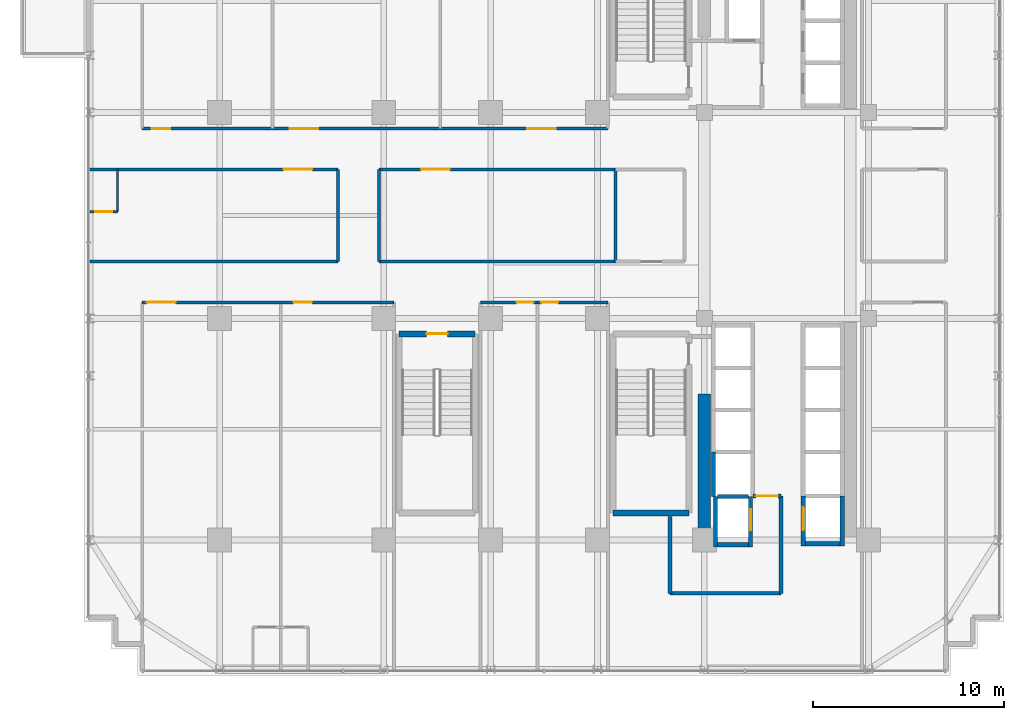
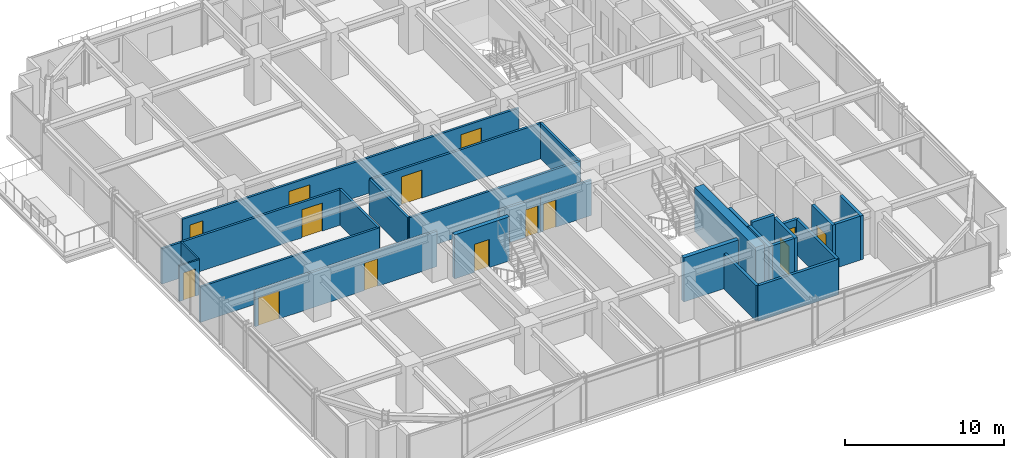
# One storey, part 28 of 35: 28 walls, 14 doors, 14 openings.
"""IFC4 building model written with IfcOpenShell, lengths in metres."""

from ifc_helpers import new_model, si_unit, direction, frame, frame_2d, origin, place, context, subcontext, project, spatial, rectangle, extrude, source, transform, mapped, material, layer, layer_set, type_object, element, fill, save


model = new_model("IFC4")

# Units and contexts
model_context = context("Model", 3, precision=1e-05, world=origin(), true_north=direction((0.0, 1.0)))
body_context = subcontext(model_context, "Body", "Model", "MODEL_VIEW")
ifc_project = project(units=[si_unit("LENGTHUNIT", "METRE"), si_unit("AREAUNIT", "SQUARE_METRE"), si_unit("VOLUMEUNIT", "CUBIC_METRE"), si_unit("PLANEANGLEUNIT", "RADIAN"), si_unit("MASSUNIT", "GRAM", prefix="KILO")], contexts=[model_context])

# Site, building, storey
site_placement = place(None, origin())
site = spatial("IfcSite", under=ifc_project, at=site_placement, CompositionType="ELEMENT")
building_placement = place(site_placement, origin())
building = spatial("IfcBuilding", under=site, at=building_placement, Name="Nahalor Promenade Grand Hotel", CompositionType="ELEMENT")
storey_placement = place(building_placement, frame((0.0, 0.0, 106.550048828125)))
storey = spatial("IfcBuildingStorey", under=building, at=storey_placement, Name="L26", CompositionType="ELEMENT", Elevation=106.550048828125)

# Walls
ifc_material_1 = material(Name="Concrete B-60 (C50/60)", Category="concrete")
ifc_layer_1 = layer(ifc_material_1, 0.64990234375)
ifc_layer_set_1 = layer_set([ifc_layer_1], Name="Concrete B-60 (C50/60)")
wall_type_1 = type_object("IfcWallType", Name="Wall-CoreShear-650", PredefinedType="SHEAR", material=ifc_layer_set_1)
shared_shape_1 = source(origin(), body_context, "Body", "SweptSolid", [
    extrude(rectangle(XDim=7.64990234375, YDim=0.64990234375, at=frame_2d((3.824951171875, 0.0))), origin(), (0.0, 0.0, 1.0), 3.3798828125),
])
wall_1_placement = place(storey_placement, frame((8.39990234375, -17.0, 0.0), z_axis=(0.0, 0.0, 1.0), x_axis=(0.0, 1.0, 0.0)))
element("IfcWall", 1, at=wall_1_placement, inside=storey, type_object=wall_type_1, Name="CWALL-L26-SW", PredefinedType="SHEAR", context=body_context, shape_type="MappedRepresentation", body=[
    mapped(shared_shape_1, transform((0.0, 0.0, 0.0), scale=1.0)),
])
ifc_material_2 = material(Name="Concrete B-50 (C40/50)", Category="concrete")
ifc_layer_2 = layer(ifc_material_2, 0.300048828125)
ifc_layer_set_2 = layer_set([ifc_layer_2], Name="Concrete B-50 (C40/50)")
wall_type_2 = type_object("IfcWallType", Name="Wall-ShaftShear-300", PredefinedType="SHEAR", material=ifc_layer_set_2)
shared_shape_2 = source(origin(), body_context, "Body", "SweptSolid", [
    extrude(rectangle(XDim=3.97998046875, YDim=0.300048828125, at=frame_2d((1.989990234375, 0.0))), origin(), (0.0, 0.0, 1.0), 3.3798828125),
])
wall_2_placement = place(storey_placement, frame((3.610107421875, -15.590087890625, 0.0), z_axis=(0.0, 0.0, 1.0), x_axis=(1.0, 0.0, 0.0)))
element("IfcWall", 2, at=wall_2_placement, inside=storey, type_object=wall_type_2, Name="L26 Exit Stair ST2 Shaft Wall S", PredefinedType="SHEAR", context=body_context, shape_type="MappedRepresentation", body=[
    mapped(shared_shape_2, transform((0.0, 0.0, 0.0), scale=1.0)),
])

# Wall, opening, door
wall_3_placement = place(storey_placement, frame((-7.590087890625, -6.2099609375, 0.0), z_axis=(0.0, 0.0, 1.0), x_axis=(1.0, 0.0, 0.0)))
wall_3 = element("IfcWall", 3, at=wall_3_placement, inside=storey, type_object=wall_type_2, Name="L26 Exit Stair ST3 Shaft Wall N", PredefinedType="SHEAR", context=body_context, shape_type="MappedRepresentation", body=[
    mapped(shared_shape_2, transform((0.0, 0.0, 0.0), scale=1.0)),
])
opening_1_placement = place(wall_3_placement, frame((1.43994140625, 0.0, 0.0)))
opening_1 = element("IfcOpeningElement", 4, at=opening_1_placement, cuts=wall_3, Name="Opening D-ST1", PredefinedType="OPENING", context=body_context, shape_type="SweptSolid", body=[
    extrude(rectangle(XDim=1.10009765625, YDim=2.14990234375, at=frame_2d((0.550048828125, 1.074951171875))), frame((0.0, 0.159912109375, 0.0), z_axis=(0.0, -1.0, 0.0), x_axis=(1.0, 0.0, 0.0)), (0.0, 0.0, 1.0), 0.320068359375),
])
ifc_material_3 = material(Name="Steel S355JR", Category="steel")
door_type_1 = type_object("IfcDoorType", Name="Door-StairFire-1100", OperationType="NOTDEFINED", PredefinedType="DOOR", material=ifc_material_3)
shared_shape_3 = source(origin(), body_context, "Body", "SweptSolid", [
    extrude(rectangle(XDim=1.10009765625, YDim=2.14990234375, at=frame_2d((0.550048828125, 1.074951171875))), frame((0.0, 0.02490234375, 0.0), z_axis=(0.0, -1.0, 0.0), x_axis=(1.0, 0.0, 0.0)), (0.0, 0.0, 1.0), 0.050048828125),
])
door_1_placement = place(opening_1_placement, frame((1.10009765625, 0.0, 0.0), z_axis=(0.0, 0.0, 1.0), x_axis=(-1.0, 0.0, 0.0)))
door_1 = element("IfcDoor", 5, at=door_1_placement, inside=storey, type_object=door_type_1, Name="DR-STAIR-ST3-L26", OperationType="SINGLE_SWING_LEFT", OverallHeight=2.14990234375, OverallWidth=1.10009765625, PredefinedType="DOOR", context=body_context, shape_type="MappedRepresentation", body=[
    mapped(shared_shape_3, transform((0.0, 0.0, 0.0), scale=1.0)),
])
fill(opening_1, door_1)

# Walls
ifc_layer_3 = layer(ifc_material_2, 0.219970703125)
ifc_layer_set_3 = layer_set([ifc_layer_3], Name="Concrete B-50 (C40/50)")
wall_type_3 = type_object("IfcWallType", Name="Wall-LiftShaft-220", PredefinedType="SHEAR", material=ifc_layer_set_3)
shared_shape_4 = source(origin(), body_context, "Body", "SweptSolid", [
    extrude(rectangle(XDim=1.820068359375, YDim=0.219970703125, at=frame_2d((0.91015625, 0.0))), origin(), (0.0, 0.0, 1.0), 3.3798828125),
])
wall_4_placement = place(storey_placement, frame((13.68994140625, -17.199951171875, 0.0), z_axis=(0.0, 0.0, 1.0), x_axis=(1.0, 0.0, 0.0)))
element("IfcWall", 6, at=wall_4_placement, inside=storey, type_object=wall_type_3, Name="L26 Lift SV2 Hoistway Wall S", PredefinedType="SHEAR", context=body_context, shape_type="MappedRepresentation", body=[
    mapped(shared_shape_4, transform((0.0, 0.0, 0.0), scale=1.0)),
])
shared_shape_5 = source(origin(), body_context, "Body", "SweptSolid", [
    extrude(rectangle(XDim=2.3251953125, YDim=0.219970703125, at=frame_2d((1.16259765625, 0.0))), origin(), (0.0, 0.0, 1.0), 3.3798828125),
])
wall_5_placement = place(storey_placement, frame((8.8798828125, -14.72509765625, 0.0), z_axis=(0.0, 0.0, 1.0), x_axis=(0.0, 1.0, 0.0)))
element("IfcWall", 7, at=wall_5_placement, inside=storey, type_object=wall_type_3, Name="L26 Lift PL12 Hoistway Wall W", PredefinedType="SHEAR", context=body_context, shape_type="MappedRepresentation", body=[
    mapped(shared_shape_5, transform((0.0, 0.0, 0.0), scale=1.0)),
])
shared_shape_6 = source(origin(), body_context, "Body", "SweptSolid", [
    extrude(rectangle(XDim=1.619873046875, YDim=0.219970703125, at=frame_2d((0.81005859375, 0.0))), origin(), (0.0, 0.0, 1.0), 3.64990234375),
])
wall_6_placement = place(storey_placement, frame((9.090087890625, -14.72509765625, 0.0), z_axis=(0.0, 0.0, 1.0), x_axis=(1.0, 0.0, 0.0)))
element("IfcWall", 8, at=wall_6_placement, inside=storey, type_object=wall_type_3, Name="L26 Lift FL2 Hoistway Wall N", PredefinedType="SHEAR", context=body_context, shape_type="MappedRepresentation", body=[
    mapped(shared_shape_6, transform((0.0, 0.0, 0.0), scale=1.0)),
])
shared_shape_7 = source(origin(), body_context, "Body", "SweptSolid", [
    extrude(rectangle(XDim=2.635009765625, YDim=0.219970703125, at=frame_2d((1.3173828125, 0.0))), origin(), (0.0, 0.0, 1.0), 3.3798828125),
])
wall_7_placement = place(storey_placement, frame((8.97998046875, -17.360107421875, 0.0), z_axis=(0.0, 0.0, 1.0), x_axis=(0.0, 1.0, 0.0)))
element("IfcWall", 9, at=wall_7_placement, inside=storey, type_object=wall_type_3, Name="L26 Lift FL2 Hoistway Wall W", PredefinedType="SHEAR", context=body_context, shape_type="MappedRepresentation", body=[
    mapped(shared_shape_7, transform((0.0, 0.0, 0.0), scale=1.0)),
])

# Wall, opening, door
wall_8_placement = place(storey_placement, frame((10.820068359375, -17.360107421875, 0.0), z_axis=(0.0, 0.0, 1.0), x_axis=(0.0, 1.0, 0.0)))
wall_8 = element("IfcWall", 10, at=wall_8_placement, inside=storey, type_object=wall_type_3, Name="L26 Lift FL2 Hoistway Wall E", PredefinedType="SHEAR", context=body_context, shape_type="MappedRepresentation", body=[
    mapped(shared_shape_7, transform((0.0, 0.0, 0.0), scale=1.0)),
])
opening_2_placement = place(wall_8_placement, frame((0.860107421875, 0.0, 0.0)))
opening_2 = element("IfcOpeningElement", 11, at=opening_2_placement, cuts=wall_8, Name="Opening LD-02", PredefinedType="OPENING", context=body_context, shape_type="SweptSolid", body=[
    extrude(rectangle(XDim=1.10009765625, YDim=2.199951171875, at=frame_2d((0.550048828125, 1.10009765625))), frame((0.0, 0.119873046875, 0.0), z_axis=(0.0, -1.0, 0.0), x_axis=(1.0, 0.0, 0.0)), (0.0, 0.0, 1.0), 0.239990234375),
])
door_type_2 = type_object("IfcDoorType", Name="Door-LiftFF-1100", OperationType="DOUBLE_DOOR_SLIDING", PredefinedType="DOOR", material=ifc_material_3)
shared_shape_8 = source(origin(), body_context, "Body", "SweptSolid", [
    extrude(rectangle(XDim=1.10009765625, YDim=2.199951171875, at=frame_2d((0.550048828125, 1.10009765625))), frame((0.0, 0.02490234375, 0.0), z_axis=(0.0, -1.0, 0.0), x_axis=(1.0, 0.0, 0.0)), (0.0, 0.0, 1.0), 0.050048828125),
])
door_2_placement = place(opening_2_placement, frame((1.10009765625, 0.0, 0.0), z_axis=(0.0, 0.0, 1.0), x_axis=(-1.0, 0.0, 0.0)))
door_2 = element("IfcDoor", 12, at=door_2_placement, inside=storey, type_object=door_type_2, Name="DR-LIFT-FL2-L26", OperationType="DOUBLE_DOOR_SLIDING", OverallHeight=2.199951171875, OverallWidth=1.10009765625, PredefinedType="DOOR", context=body_context, shape_type="MappedRepresentation", body=[
    mapped(shared_shape_8, transform((0.0, 0.0, 0.0), scale=1.0)),
])
fill(opening_2, door_2)

# Wall
shared_shape_9 = source(origin(), body_context, "Body", "SweptSolid", [
    extrude(rectangle(XDim=1.619873046875, YDim=0.219970703125, at=frame_2d((0.81005859375, 0.0))), origin(), (0.0, 0.0, 1.0), 3.3798828125),
])
wall_9_placement = place(storey_placement, frame((9.090087890625, -17.25, 0.0), z_axis=(0.0, 0.0, 1.0), x_axis=(1.0, 0.0, 0.0)))
element("IfcWall", 13, at=wall_9_placement, inside=storey, type_object=wall_type_3, Name="L26 Lift FL2 Hoistway Wall S", PredefinedType="SHEAR", context=body_context, shape_type="MappedRepresentation", body=[
    mapped(shared_shape_9, transform((0.0, 0.0, 0.0), scale=1.0)),
])

# Wall, opening, door
shared_shape_10 = source(origin(), body_context, "Body", "SweptSolid", [
    extrude(rectangle(XDim=2.610107421875, YDim=0.219970703125, at=frame_2d((1.30517578125, 0.0))), origin(), (0.0, 0.0, 1.0), 3.3798828125),
])
wall_10_placement = place(storey_placement, frame((13.580078125, -17.31005859375, 0.0), z_axis=(0.0, 0.0, 1.0), x_axis=(0.0, 1.0, 0.0)))
wall_10 = element("IfcWall", 14, at=wall_10_placement, inside=storey, type_object=wall_type_3, Name="L26 Lift SV2 Hoistway Wall W", PredefinedType="SHEAR", context=body_context, shape_type="MappedRepresentation", body=[
    mapped(shared_shape_10, transform((0.0, 0.0, 0.0), scale=1.0)),
])
opening_3_placement = place(wall_10_placement, frame((0.81005859375, 0.0, 0.0)))
opening_3 = element("IfcOpeningElement", 15, at=opening_3_placement, cuts=wall_10, Name="Opening LD-03", PredefinedType="OPENING", context=body_context, shape_type="SweptSolid", body=[
    extrude(rectangle(XDim=1.199951171875, YDim=2.199951171875, at=frame_2d((0.60009765625, 1.10009765625))), frame((0.0, 0.119873046875, 0.0), z_axis=(0.0, -1.0, 0.0), x_axis=(1.0, 0.0, 0.0)), (0.0, 0.0, 1.0), 0.239990234375),
])
door_type_3 = type_object("IfcDoorType", Name="Door-LiftService-1200", OperationType="DOUBLE_DOOR_SLIDING", PredefinedType="DOOR", material=ifc_material_3)
shared_shape_11 = source(origin(), body_context, "Body", "SweptSolid", [
    extrude(rectangle(XDim=1.199951171875, YDim=2.199951171875, at=frame_2d((0.60009765625, 1.10009765625))), frame((0.0, 0.02490234375, 0.0), z_axis=(0.0, -1.0, 0.0), x_axis=(1.0, 0.0, 0.0)), (0.0, 0.0, 1.0), 0.050048828125),
])
door_3_placement = place(opening_3_placement, origin())
door_3 = element("IfcDoor", 16, at=door_3_placement, inside=storey, type_object=door_type_3, Name="DR-LIFT-SV2-L26", OperationType="DOUBLE_DOOR_SLIDING", OverallHeight=2.199951171875, OverallWidth=1.199951171875, PredefinedType="DOOR", context=body_context, shape_type="MappedRepresentation", body=[
    mapped(shared_shape_11, transform((0.0, 0.0, 0.0), scale=1.0)),
])
fill(opening_3, door_3)

# Walls
wall_11_placement = place(storey_placement, frame((15.6201171875, -17.31005859375, 0.0), z_axis=(0.0, 0.0, 1.0), x_axis=(0.0, 1.0, 0.0)))
element("IfcWall", 17, at=wall_11_placement, inside=storey, type_object=wall_type_3, Name="L26 Lift SV2 Hoistway Wall E", PredefinedType="SHEAR", context=body_context, shape_type="MappedRepresentation", body=[
    mapped(shared_shape_10, transform((0.0, 0.0, 0.0), scale=1.0)),
])
ifc_material_4 = material(Name="Concrete B-40 (C32/40)", Category="concrete")
ifc_layer_4 = layer(ifc_material_4, 0.199951171875)
ifc_layer_set_4 = layer_set([ifc_layer_4], Name="Concrete B-40 (C32/40)")
wall_type_4 = type_object("IfcWallType", Name="Wall-PartFire-200", PredefinedType="PARTITIONING", material=ifc_layer_set_4)
shared_shape_12 = source(origin(), body_context, "Body", "SweptSolid", [
    extrude(rectangle(XDim=5.81982421875, YDim=0.199951171875, at=frame_2d((2.909912109375, 0.0))), origin(), (0.0, 0.0, 1.0), 2.719970703125),
])
wall_12_placement = place(storey_placement, frame((6.60009765625, -19.800048828125, 0.0), z_axis=(0.0, 0.0, 1.0), x_axis=(1.0, 0.0, 0.0)))
element("IfcWall", 18, at=wall_12_placement, inside=storey, type_object=wall_type_4, Name="W-L26-FF2-S1", PredefinedType="PARTITIONING", context=body_context, shape_type="MappedRepresentation", body=[
    mapped(shared_shape_12, transform((0.0, 0.0, 0.0), scale=1.0)),
])
shared_shape_13 = source(origin(), body_context, "Body", "SweptSolid", [
    extrude(rectangle(XDim=4.030029296875, YDim=0.199951171875, at=frame_2d((2.01513671875, 0.0))), origin(), (0.0, 0.0, 1.0), 2.719970703125),
])
wall_13_placement = place(storey_placement, frame((6.60009765625, -19.800048828125, 0.0), z_axis=(0.0, 0.0, 1.0), x_axis=(0.0, 1.0, 0.0)))
element("IfcWall", 19, at=wall_13_placement, inside=storey, type_object=wall_type_4, Name="W-L26-FF2-W1", PredefinedType="PARTITIONING", context=body_context, shape_type="MappedRepresentation", body=[
    mapped(shared_shape_13, transform((0.0, 0.0, 0.0), scale=1.0)),
])
shared_shape_14 = source(origin(), body_context, "Body", "SweptSolid", [
    extrude(rectangle(XDim=5.10009765625, YDim=0.199951171875, at=frame_2d((2.550048828125, 0.0))), origin(), (0.0, 0.0, 1.0), 2.719970703125),
])
wall_14_placement = place(storey_placement, frame((12.419921875, -19.800048828125, 0.0), z_axis=(0.0, 0.0, 1.0), x_axis=(0.0, 1.0, 0.0)))
element("IfcWall", 20, at=wall_14_placement, inside=storey, type_object=wall_type_4, Name="W-L26-FF2-E", PredefinedType="PARTITIONING", context=body_context, shape_type="MappedRepresentation", body=[
    mapped(shared_shape_14, transform((0.0, 0.0, 0.0), scale=1.0)),
])

# Wall, opening, door
shared_shape_15 = source(origin(), body_context, "Body", "SweptSolid", [
    extrude(rectangle(XDim=1.4599609375, YDim=0.199951171875, at=frame_2d((0.72998046875, 0.0))), origin(), (0.0, 0.0, 1.0), 2.719970703125),
])
wall_15_placement = place(storey_placement, frame((10.9599609375, -14.699951171875, 0.0), z_axis=(0.0, 0.0, 1.0), x_axis=(1.0, 0.0, 0.0)))
wall_15 = element("IfcWall", 21, at=wall_15_placement, inside=storey, type_object=wall_type_4, Name="W-L26-FF2-N1", PredefinedType="PARTITIONING", context=body_context, shape_type="MappedRepresentation", body=[
    mapped(shared_shape_15, transform((0.0, 0.0, 0.0), scale=1.0)),
])
opening_4_placement = place(wall_15_placement, frame((0.14501953125, 0.0, 0.0)))
opening_4 = element("IfcOpeningElement", 22, at=opening_4_placement, cuts=wall_15, Name="Opening D-FF1", PredefinedType="OPENING", context=body_context, shape_type="SweptSolid", body=[
    extrude(rectangle(XDim=1.14990234375, YDim=2.14990234375, at=frame_2d((0.574951171875, 1.074951171875))), frame((0.0, 0.10986328125, 0.0), z_axis=(0.0, -1.0, 0.0), x_axis=(1.0, 0.0, 0.0)), (0.0, 0.0, 1.0), 0.219970703125),
])
door_type_4 = type_object("IfcDoorType", Name="Door-FFLobby-1150", OperationType="NOTDEFINED", PredefinedType="DOOR", material=ifc_material_3)
shared_shape_16 = source(origin(), body_context, "Body", "SweptSolid", [
    extrude(rectangle(XDim=1.14990234375, YDim=2.14990234375, at=frame_2d((0.574951171875, 1.074951171875))), frame((0.0, 0.02490234375, 0.0), z_axis=(0.0, -1.0, 0.0), x_axis=(1.0, 0.0, 0.0)), (0.0, 0.0, 1.0), 0.050048828125),
])
door_4_placement = place(opening_4_placement, origin())
door_4 = element("IfcDoor", 23, at=door_4_placement, inside=storey, type_object=door_type_4, Name="DR-L26-FFL2", OperationType="SINGLE_SWING_RIGHT", OverallHeight=2.14990234375, OverallWidth=1.14990234375, PredefinedType="DOOR", context=body_context, shape_type="MappedRepresentation", body=[
    mapped(shared_shape_16, transform((0.0, 0.0, 0.0), scale=1.0)),
])
fill(opening_4, door_4)

# Wall, openings, doors
ifc_material_5 = material(Name="Acoustic Mineral Gypsum", Category="gypsum")
ifc_layer_5 = layer(ifc_material_5, 0.159912109375)
ifc_layer_set_5 = layer_set([ifc_layer_5], Name="Acoustic Mineral Gypsum")
wall_type_5 = type_object("IfcWallType", Name="Wall-PartCorridor-160", PredefinedType="PARTITIONING", material=ifc_layer_set_5)
shared_shape_17 = source(origin(), body_context, "Body", "SweptSolid", [
    extrude(rectangle(XDim=24.400146484375, YDim=0.159912109375, at=frame_2d((12.2001953125, 0.0))), origin(), (0.0, 0.0, 1.0), 2.719970703125),
])
wall_16_placement = place(storey_placement, frame((-21.06005859375, 4.550048828125, 0.0), z_axis=(0.0, 0.0, 1.0), x_axis=(1.0, 0.0, 0.0)))
wall_16 = element("IfcWall", 24, at=wall_16_placement, inside=storey, type_object=wall_type_5, Name="W-L26-CORR-N", PredefinedType="PARTITIONING", context=body_context, shape_type="MappedRepresentation", body=[
    mapped(shared_shape_17, transform((0.0, 0.0, 0.0), scale=1.0)),
])
opening_5_placement = place(wall_16_placement, frame((0.514892578125, 0.0, 0.0)))
opening_5 = element("IfcOpeningElement", 25, at=opening_5_placement, cuts=wall_16, Name="Opening D-01", PredefinedType="OPENING", context=body_context, shape_type="SweptSolid", body=[
    extrude(rectangle(XDim=0.949951171875, YDim=2.10009765625, at=frame_2d((0.47509765625, 1.050048828125))), frame((0.0, 0.08984375, 0.0), z_axis=(0.0, -1.0, 0.0), x_axis=(1.0, 0.0, 0.0)), (0.0, 0.0, 1.0), 0.179931640625),
])
opening_6_placement = place(wall_16_placement, frame((7.72509765625, 0.0, 0.0)))
opening_6 = element("IfcOpeningElement", 26, at=opening_6_placement, cuts=wall_16, Name="Opening D-02", PredefinedType="OPENING", context=body_context, shape_type="SweptSolid", body=[
    extrude(rectangle(XDim=1.5, YDim=2.14990234375, at=frame_2d((0.75, 1.074951171875))), frame((0.0, 0.08984375, 0.0), z_axis=(0.0, -1.0, 0.0), x_axis=(1.0, 0.0, 0.0)), (0.0, 0.0, 1.0), 0.179931640625),
])
opening_7_placement = place(wall_16_placement, frame((20.174072265625, 0.0, 0.0)))
opening_7 = element("IfcOpeningElement", 27, at=opening_7_placement, cuts=wall_16, Name="Opening D-02", PredefinedType="OPENING", context=body_context, shape_type="SweptSolid", body=[
    extrude(rectangle(XDim=1.5, YDim=2.14990234375, at=frame_2d((0.75, 1.074951171875))), frame((0.0, 0.08984375, 0.0), z_axis=(0.0, -1.0, 0.0), x_axis=(1.0, 0.0, 0.0)), (0.0, 0.0, 1.0), 0.179931640625),
])
ifc_material_6 = material(Name="Fire-Rated Timber Composite", Category="wood")
door_type_5 = type_object("IfcDoorType", Name="Door-SuiteDouble-1500", OperationType="DOUBLE_DOOR_SINGLE_SWING", PredefinedType="DOOR", material=ifc_material_6)
shared_shape_18 = source(origin(), body_context, "Body", "SweptSolid", [
    extrude(rectangle(XDim=1.5, YDim=2.14990234375, at=frame_2d((0.75, 1.074951171875))), frame((0.0, 0.02490234375, 0.0), z_axis=(0.0, -1.0, 0.0), x_axis=(1.0, 0.0, 0.0)), (0.0, 0.0, 1.0), 0.050048828125),
])
door_5_placement = place(opening_6_placement, origin())
door_5 = element("IfcDoor", 28, at=door_5_placement, inside=storey, type_object=door_type_5, Name="DR-L26-N2-ENT", OperationType="DOUBLE_DOOR_SINGLE_SWING", OverallHeight=2.14990234375, OverallWidth=1.5, PredefinedType="DOOR", context=body_context, shape_type="MappedRepresentation", body=[
    mapped(shared_shape_18, transform((0.0, 0.0, 0.0), scale=1.0)),
])
fill(opening_6, door_5)
door_6_placement = place(opening_7_placement, origin())
door_6 = element("IfcDoor", 29, at=door_6_placement, inside=storey, type_object=door_type_5, Name="DR-L26-N3-ENT", OperationType="DOUBLE_DOOR_SINGLE_SWING", OverallHeight=2.14990234375, OverallWidth=1.5, PredefinedType="DOOR", context=body_context, shape_type="MappedRepresentation", body=[
    mapped(shared_shape_18, transform((0.0, 0.0, 0.0), scale=1.0)),
])
fill(opening_7, door_6)
door_type_6 = type_object("IfcDoorType", Name="Door-GuestEntry-950", OperationType="NOTDEFINED", PredefinedType="DOOR", material=ifc_material_6)
shared_shape_19 = source(origin(), body_context, "Body", "SweptSolid", [
    extrude(rectangle(XDim=0.949951171875, YDim=2.10009765625, at=frame_2d((0.47509765625, 1.050048828125))), frame((0.0, 0.02490234375, 0.0), z_axis=(0.0, -1.0, 0.0), x_axis=(1.0, 0.0, 0.0)), (0.0, 0.0, 1.0), 0.050048828125),
])
door_7_placement = place(opening_5_placement, origin())
door_7 = element("IfcDoor", 30, at=door_7_placement, inside=storey, type_object=door_type_6, Name="DR-L26-N1-ENT", OperationType="SINGLE_SWING_RIGHT", OverallHeight=2.10009765625, OverallWidth=0.949951171875, PredefinedType="DOOR", context=body_context, shape_type="MappedRepresentation", body=[
    mapped(shared_shape_19, transform((0.0, 0.0, 0.0), scale=1.0)),
])
fill(opening_5, door_7)

# Wall
ifc_layer_6 = layer(ifc_material_5, 0.1201171875)
ifc_layer_set_6 = layer_set([ifc_layer_6], Name="Acoustic Mineral Gypsum")
wall_type_6 = type_object("IfcWallType", Name="Wall-PartBath-120", PredefinedType="PARTITIONING", material=ifc_layer_set_6)
shared_shape_20 = source(origin(), body_context, "Body", "SweptSolid", [
    extrude(rectangle(XDim=2.219970703125, YDim=0.1201171875, at=frame_2d((1.10986328125, 0.0))), origin(), (0.0, 0.0, 1.0), 2.719970703125),
])
wall_17_placement = place(storey_placement, frame((-22.35009765625, 0.199951171875, 0.0), z_axis=(0.0, 0.0, 1.0), x_axis=(0.0, 1.0, 0.0)))
element("IfcWall", 31, at=wall_17_placement, inside=storey, type_object=wall_type_6, Name="W-L26-W1-BV", PredefinedType="PARTITIONING", context=body_context, shape_type="MappedRepresentation", body=[
    mapped(shared_shape_20, transform((0.0, 0.0, 0.0), scale=1.0)),
])

# Wall, opening, door
shared_shape_21 = source(origin(), body_context, "Body", "SweptSolid", [
    extrude(rectangle(XDim=1.449951171875, YDim=0.1201171875, at=frame_2d((0.72509765625, 0.0))), origin(), (0.0, 0.0, 1.0), 2.719970703125),
])
wall_18_placement = place(storey_placement, frame((-23.800048828125, 0.199951171875, 0.0), z_axis=(0.0, 0.0, 1.0), x_axis=(1.0, 0.0, 0.0)))
wall_18 = element("IfcWall", 32, at=wall_18_placement, inside=storey, type_object=wall_type_6, Name="W-L26-W1-BH", PredefinedType="PARTITIONING", context=body_context, shape_type="MappedRepresentation", body=[
    mapped(shared_shape_21, transform((0.0, 0.0, 0.0), scale=1.0)),
])
opening_8_placement = place(wall_18_placement, frame((0.284912109375, 0.0, 0.0)))
opening_8 = element("IfcOpeningElement", 33, at=opening_8_placement, cuts=wall_18, Name="Opening D-03", PredefinedType="OPENING", context=body_context, shape_type="SweptSolid", body=[
    extrude(rectangle(XDim=0.8798828125, YDim=2.10009765625, at=frame_2d((0.43994140625, 1.050048828125))), frame((0.0, 0.070068359375, 0.0), z_axis=(0.0, -1.0, 0.0), x_axis=(1.0, 0.0, 0.0)), (0.0, 0.0, 1.0), 0.14013671875),
])
door_type_7 = type_object("IfcDoorType", Name="Door-BathSwing-880", OperationType="NOTDEFINED", PredefinedType="DOOR", material=ifc_material_6)
shared_shape_22 = source(origin(), body_context, "Body", "SweptSolid", [
    extrude(rectangle(XDim=0.8798828125, YDim=2.10009765625, at=frame_2d((0.43994140625, 1.050048828125))), frame((0.0, 0.02490234375, 0.0), z_axis=(0.0, -1.0, 0.0), x_axis=(1.0, 0.0, 0.0)), (0.0, 0.0, 1.0), 0.050048828125),
])
door_8_placement = place(opening_8_placement, origin())
door_8 = element("IfcDoor", 34, at=door_8_placement, inside=storey, type_object=door_type_7, Name="DR-L26-W1-BATH", OperationType="SINGLE_SWING_RIGHT", OverallHeight=2.10009765625, OverallWidth=0.8798828125, PredefinedType="DOOR", context=body_context, shape_type="MappedRepresentation", body=[
    mapped(shared_shape_22, transform((0.0, 0.0, 0.0), scale=1.0)),
])
fill(opening_8, door_8)

# Wall, openings, doors
shared_shape_23 = source(origin(), body_context, "Body", "SweptSolid", [
    extrude(rectangle(XDim=13.199951171875, YDim=0.159912109375, at=frame_2d((6.60009765625, 0.0))), origin(), (0.0, 0.0, 1.0), 2.719970703125),
])
wall_19_placement = place(storey_placement, frame((-21.06005859375, -4.550048828125, 0.0), z_axis=(0.0, 0.0, 1.0), x_axis=(1.0, 0.0, 0.0)))
wall_19 = element("IfcWall", 35, at=wall_19_placement, inside=storey, type_object=wall_type_5, Name="W-L26-CORR-S", PredefinedType="PARTITIONING", context=body_context, shape_type="MappedRepresentation", body=[
    mapped(shared_shape_23, transform((0.0, 0.0, 0.0), scale=1.0)),
])
opening_9_placement = place(wall_19_placement, frame((0.25, 0.0, 0.0)))
opening_9 = element("IfcOpeningElement", 36, at=opening_9_placement, cuts=wall_19, Name="Opening D-02", PredefinedType="OPENING", context=body_context, shape_type="SweptSolid", body=[
    extrude(rectangle(XDim=1.5, YDim=2.14990234375, at=frame_2d((0.75, 1.074951171875))), frame((0.0, 0.08984375, 0.0), z_axis=(0.0, -1.0, 0.0), x_axis=(1.0, 0.0, 0.0)), (0.0, 0.0, 1.0), 0.179931640625),
])
opening_10_placement = place(wall_19_placement, frame((7.93798828125, 0.0, 0.0)))
opening_10 = element("IfcOpeningElement", 37, at=opening_10_placement, cuts=wall_19, Name="Opening D-01", PredefinedType="OPENING", context=body_context, shape_type="SweptSolid", body=[
    extrude(rectangle(XDim=0.949951171875, YDim=2.10009765625, at=frame_2d((0.47509765625, 1.050048828125))), frame((0.0, 0.08984375, 0.0), z_axis=(0.0, -1.0, 0.0), x_axis=(1.0, 0.0, 0.0)), (0.0, 0.0, 1.0), 0.179931640625),
])
door_9_placement = place(opening_9_placement, frame((1.5, 0.0, 0.0), z_axis=(0.0, 0.0, 1.0), x_axis=(-1.0, 0.0, 0.0)))
door_9 = element("IfcDoor", 38, at=door_9_placement, inside=storey, type_object=door_type_5, Name="DR-L26-S1-ENT", OperationType="DOUBLE_DOOR_SINGLE_SWING", OverallHeight=2.14990234375, OverallWidth=1.5, PredefinedType="DOOR", context=body_context, shape_type="MappedRepresentation", body=[
    mapped(shared_shape_18, transform((0.0, 0.0, 0.0), scale=1.0)),
])
fill(opening_9, door_9)
door_10_placement = place(opening_10_placement, frame((0.949951171875, 0.0, 0.0), z_axis=(0.0, 0.0, 1.0), x_axis=(-1.0, 0.0, 0.0)))
door_10 = element("IfcDoor", 39, at=door_10_placement, inside=storey, type_object=door_type_6, Name="DR-L26-S2-ENT", OperationType="SINGLE_SWING_LEFT", OverallHeight=2.10009765625, OverallWidth=0.949951171875, PredefinedType="DOOR", context=body_context, shape_type="MappedRepresentation", body=[
    mapped(shared_shape_19, transform((0.0, 0.0, 0.0), scale=1.0)),
])
fill(opening_10, door_10)

# Wall, opening, door
shared_shape_24 = source(origin(), body_context, "Body", "SweptSolid", [
    extrude(rectangle(XDim=2.989990234375, YDim=0.159912109375, at=frame_2d((1.4951171875, 0.0))), origin(), (0.0, 0.0, 1.0), 2.719970703125),
])
wall_20_placement = place(storey_placement, frame((-3.340087890625, -4.550048828125, 0.0), z_axis=(0.0, 0.0, 1.0), x_axis=(1.0, 0.0, 0.0)))
wall_20 = element("IfcWall", 40, at=wall_20_placement, inside=storey, type_object=wall_type_5, Name="W-L26-SCB1-N", PredefinedType="PARTITIONING", context=body_context, shape_type="MappedRepresentation", body=[
    mapped(shared_shape_24, transform((0.0, 0.0, 0.0), scale=1.0)),
])
opening_11_placement = place(wall_20_placement, frame((1.89990234375, 0.0, 0.0)))
opening_11 = element("IfcOpeningElement", 41, at=opening_11_placement, cuts=wall_20, Name="Opening D-03", PredefinedType="OPENING", context=body_context, shape_type="SweptSolid", body=[
    extrude(rectangle(XDim=0.8798828125, YDim=2.10009765625, at=frame_2d((0.43994140625, 1.050048828125))), frame((0.0, 0.08984375, 0.0), z_axis=(0.0, -1.0, 0.0), x_axis=(1.0, 0.0, 0.0)), (0.0, 0.0, 1.0), 0.179931640625),
])
door_11_placement = place(opening_11_placement, frame((0.8798828125, 0.0, 0.0), z_axis=(0.0, 0.0, 1.0), x_axis=(-1.0, 0.0, 0.0)))
door_11 = element("IfcDoor", 42, at=door_11_placement, inside=storey, type_object=door_type_7, Name="DR-L26-SCB1", OperationType="SINGLE_SWING_RIGHT", OverallHeight=2.10009765625, OverallWidth=0.8798828125, PredefinedType="DOOR", context=body_context, shape_type="MappedRepresentation", body=[
    mapped(shared_shape_22, transform((0.0, 0.0, 0.0), scale=1.0)),
])
fill(opening_11, door_11)

shared_shape_25 = source(origin(), body_context, "Body", "SweptSolid", [
    extrude(rectangle(XDim=3.690185546875, YDim=0.159912109375, at=frame_2d((1.84521484375, 0.0))), origin(), (0.0, 0.0, 1.0), 2.719970703125),
])
wall_21_placement = place(storey_placement, frame((-0.35009765625, -4.550048828125, 0.0), z_axis=(0.0, 0.0, 1.0), x_axis=(1.0, 0.0, 0.0)))
wall_21 = element("IfcWall", 43, at=wall_21_placement, inside=storey, type_object=wall_type_5, Name="W-L26-SCB2-N", PredefinedType="PARTITIONING", context=body_context, shape_type="MappedRepresentation", body=[
    mapped(shared_shape_25, transform((0.0, 0.0, 0.0), scale=1.0)),
])
opening_12_placement = place(wall_21_placement, frame((0.2099609375, 0.0, 0.0)))
opening_12 = element("IfcOpeningElement", 44, at=opening_12_placement, cuts=wall_21, Name="Opening D-03", PredefinedType="OPENING", context=body_context, shape_type="SweptSolid", body=[
    extrude(rectangle(XDim=0.8798828125, YDim=2.10009765625, at=frame_2d((0.43994140625, 1.050048828125))), frame((0.0, 0.08984375, 0.0), z_axis=(0.0, -1.0, 0.0), x_axis=(1.0, 0.0, 0.0)), (0.0, 0.0, 1.0), 0.179931640625),
])
door_12_placement = place(opening_12_placement, frame((0.8798828125, 0.0, 0.0), z_axis=(0.0, 0.0, 1.0), x_axis=(-1.0, 0.0, 0.0)))
door_12 = element("IfcDoor", 45, at=door_12_placement, inside=storey, type_object=door_type_7, Name="DR-L26-SCB2", OperationType="SINGLE_SWING_LEFT", OverallHeight=2.10009765625, OverallWidth=0.8798828125, PredefinedType="DOOR", context=body_context, shape_type="MappedRepresentation", body=[
    mapped(shared_shape_22, transform((0.0, 0.0, 0.0), scale=1.0)),
])
fill(opening_12, door_12)

# Walls
shared_shape_26 = source(origin(), body_context, "Body", "SweptSolid", [
    extrude(rectangle(XDim=4.83984375, YDim=0.159912109375, at=frame_2d((2.419921875, 0.0))), origin(), (0.0, 0.0, 1.0), 2.719970703125),
])
for number, where, z_axis, x_axis, name in (
    (46, (-10.800048828125, -2.419921875, 0.0), (0.0, 0.0, 1.0), (0.0, 1.0, 0.0), "W-L26-WEST-E"),
    (47, (-8.64990234375, -2.419921875, 0.0), (0.0, 0.0, 1.0), (0.0, 1.0, 0.0), "W-L26-CM1-W"),
    (48, (3.75, -2.419921875, 0.0), (0.0, 0.0, 1.0), (0.0, 1.0, 0.0), "W-L26-CM1-E"),
):
    element("IfcWall", number, at=place(storey_placement, frame(where, z_axis=z_axis, x_axis=x_axis)), inside=storey, type_object=wall_type_5, Name=name, PredefinedType="PARTITIONING", context=body_context, shape_type="MappedRepresentation", body=[
        mapped(shared_shape_26, transform((0.0, 0.0, 0.0), scale=1.0)),
    ])

# Wall, opening, door
shared_shape_27 = source(origin(), body_context, "Body", "SweptSolid", [
    extrude(rectangle(XDim=13.0, YDim=0.159912109375, at=frame_2d((6.5, 0.0))), origin(), (0.0, 0.0, 1.0), 2.719970703125),
])
wall_22_placement = place(storey_placement, frame((-23.800048828125, 2.419921875, 0.0), z_axis=(0.0, 0.0, 1.0), x_axis=(1.0, 0.0, 0.0)))
wall_22 = element("IfcWall", 49, at=wall_22_placement, inside=storey, type_object=wall_type_5, Name="W-L26-WEST-N", PredefinedType="PARTITIONING", context=body_context, shape_type="MappedRepresentation", body=[
    mapped(shared_shape_27, transform((0.0, 0.0, 0.0), scale=1.0)),
])
opening_13_placement = place(wall_22_placement, frame((10.14794921875, 0.0, 0.0)))
opening_13 = element("IfcOpeningElement", 50, at=opening_13_placement, cuts=wall_22, Name="Opening D-02", PredefinedType="OPENING", context=body_context, shape_type="SweptSolid", body=[
    extrude(rectangle(XDim=1.5, YDim=2.14990234375, at=frame_2d((0.75, 1.074951171875))), frame((0.0, 0.08984375, 0.0), z_axis=(0.0, -1.0, 0.0), x_axis=(1.0, 0.0, 0.0)), (0.0, 0.0, 1.0), 0.179931640625),
])
door_13_placement = place(opening_13_placement, origin())
door_13 = element("IfcDoor", 51, at=door_13_placement, inside=storey, type_object=door_type_5, Name="DR-L26-W1-ENT", OperationType="DOUBLE_DOOR_SINGLE_SWING", OverallHeight=2.14990234375, OverallWidth=1.5, PredefinedType="DOOR", context=body_context, shape_type="MappedRepresentation", body=[
    mapped(shared_shape_18, transform((0.0, 0.0, 0.0), scale=1.0)),
])
fill(opening_13, door_13)

# Walls
wall_23_placement = place(storey_placement, frame((-23.800048828125, -2.419921875, 0.0), z_axis=(0.0, 0.0, 1.0), x_axis=(1.0, 0.0, 0.0)))
element("IfcWall", 52, at=wall_23_placement, inside=storey, type_object=wall_type_5, Name="W-L26-WEST-S", PredefinedType="PARTITIONING", context=body_context, shape_type="MappedRepresentation", body=[
    mapped(shared_shape_27, transform((0.0, 0.0, 0.0), scale=1.0)),
])
shared_shape_28 = source(origin(), body_context, "Body", "SweptSolid", [
    extrude(rectangle(XDim=12.39990234375, YDim=0.159912109375, at=frame_2d((6.199951171875, 0.0))), origin(), (0.0, 0.0, 1.0), 2.719970703125),
])
wall_24_placement = place(storey_placement, frame((-8.64990234375, -2.419921875, 0.0), z_axis=(0.0, 0.0, 1.0), x_axis=(1.0, 0.0, 0.0)))
element("IfcWall", 53, at=wall_24_placement, inside=storey, type_object=wall_type_5, Name="W-L26-CM1-S", PredefinedType="PARTITIONING", context=body_context, shape_type="MappedRepresentation", body=[
    mapped(shared_shape_28, transform((0.0, 0.0, 0.0), scale=1.0)),
])

# Wall, opening, door
wall_25_placement = place(storey_placement, frame((-8.64990234375, 2.419921875, 0.0), z_axis=(0.0, 0.0, 1.0), x_axis=(1.0, 0.0, 0.0)))
wall_25 = element("IfcWall", 54, at=wall_25_placement, inside=storey, type_object=wall_type_5, Name="W-L26-CM1-N", PredefinedType="PARTITIONING", context=body_context, shape_type="MappedRepresentation", body=[
    mapped(shared_shape_28, transform((0.0, 0.0, 0.0), scale=1.0)),
])
opening_14_placement = place(wall_25_placement, frame((2.2119140625, 0.0, 0.0)))
opening_14 = element("IfcOpeningElement", 55, at=opening_14_placement, cuts=wall_25, Name="Opening D-02", PredefinedType="OPENING", context=body_context, shape_type="SweptSolid", body=[
    extrude(rectangle(XDim=1.5, YDim=2.14990234375, at=frame_2d((0.75, 1.074951171875))), frame((0.0, 0.08984375, 0.0), z_axis=(0.0, -1.0, 0.0), x_axis=(1.0, 0.0, 0.0)), (0.0, 0.0, 1.0), 0.179931640625),
])
door_14_placement = place(opening_14_placement, frame((1.5, 0.0, 0.0), z_axis=(0.0, 0.0, 1.0), x_axis=(-1.0, 0.0, 0.0)))
door_14 = element("IfcDoor", 56, at=door_14_placement, inside=storey, type_object=door_type_5, Name="DR-L26-CM1", OperationType="DOUBLE_DOOR_SINGLE_SWING", OverallHeight=2.14990234375, OverallWidth=1.5, PredefinedType="DOOR", context=body_context, shape_type="MappedRepresentation", body=[
    mapped(shared_shape_18, transform((0.0, 0.0, 0.0), scale=1.0)),
])
fill(opening_14, door_14)

save(model, "model.ifc")
